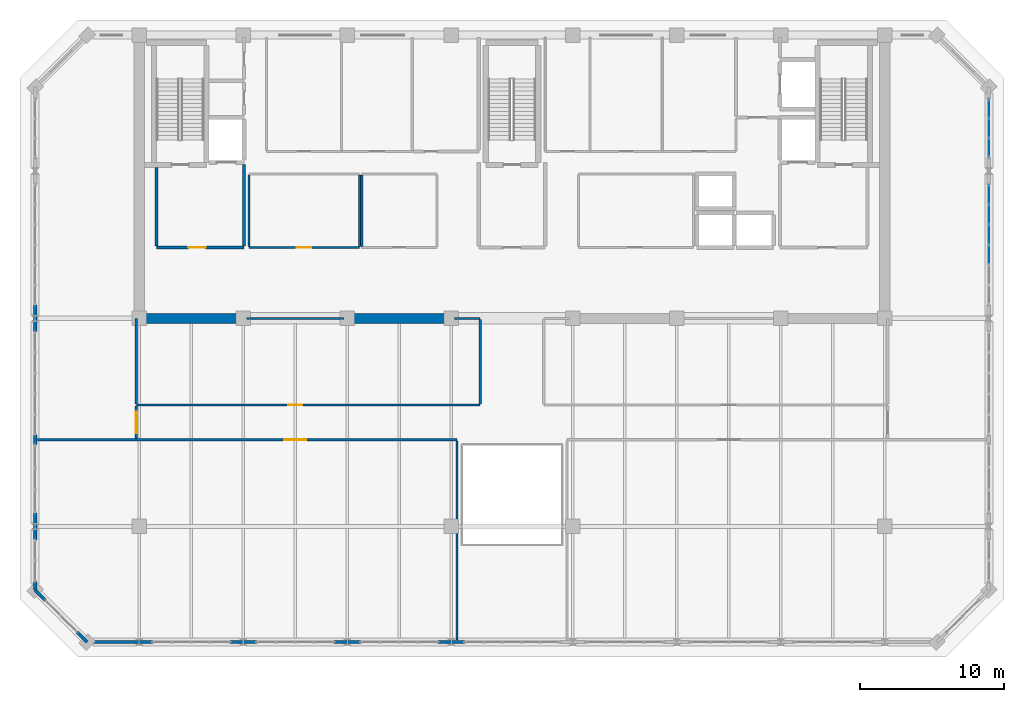
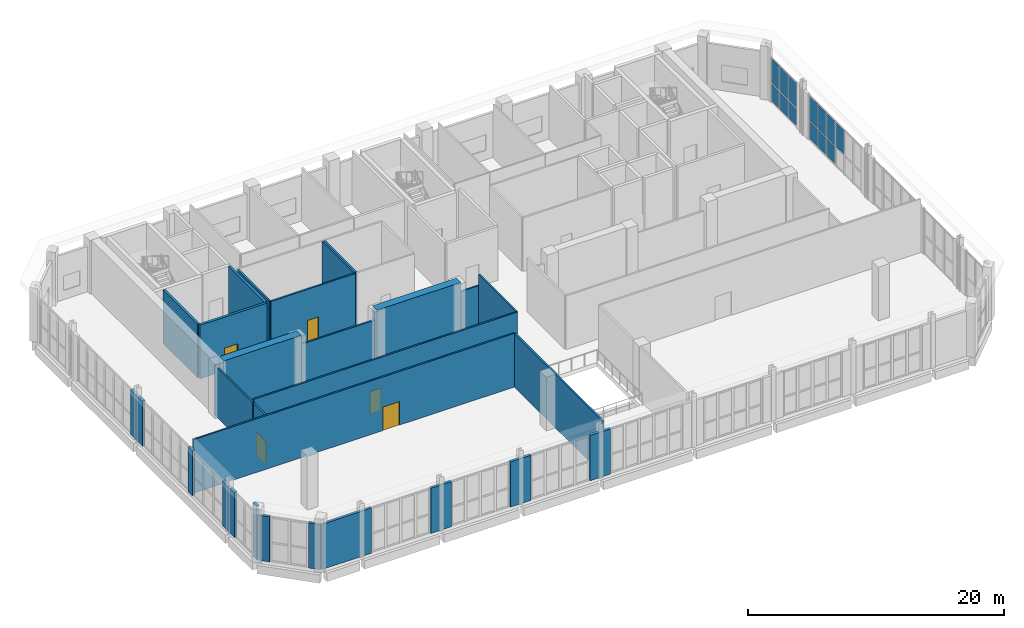
# One storey, part 19 of 26: 27 walls, 13 plates, 5 doors, 5 openings, 2 elements without a shape of their own.
"""IFC4 building model written with IfcOpenShell, lengths in metres."""

from ifc_helpers import new_model, si_unit, direction, frame, frame_2d, origin, origin_2d, place, context, subcontext, project, spatial, rectangle, extrude, material, layer, layer_set, type_object, element, fill, aggregate, save


model = new_model("IFC4")

# Units and contexts
model_context = context("Model", 3, precision=1e-05, world=origin(), true_north=direction((0.0, 1.0)))
body_context = subcontext(model_context, "Body", "Model", "MODEL_VIEW")
ifc_project = project(units=[si_unit("LENGTHUNIT", "METRE"), si_unit("AREAUNIT", "SQUARE_METRE"), si_unit("VOLUMEUNIT", "CUBIC_METRE"), si_unit("PLANEANGLEUNIT", "RADIAN"), si_unit("MASSUNIT", "GRAM", prefix="KILO")], contexts=[model_context])

# Site, building, storey
site_placement = place(None, origin())
site = spatial("IfcSite", under=ifc_project, at=site_placement, CompositionType="ELEMENT")
building_placement = place(site_placement, origin())
building = spatial("IfcBuilding", under=site, at=building_placement, Name="Kaelvorn Grand Hotel", CompositionType="ELEMENT")
storey_placement = place(building_placement, frame((0.0, 0.0, 300.199951171875)))
storey = spatial("IfcBuildingStorey", under=building, at=storey_placement, Name="L73", CompositionType="ELEMENT", Elevation=300.199951171875)

# Curtain wall, plates
ifc_material_1 = material(Name="Anodised Aluminium", Category="aluminium")
ifc_layer_1 = layer(ifc_material_1, 0.239990234375)
ifc_layer_set_1 = layer_set([ifc_layer_1], Name="Anodised Aluminium")
curtain_wall_type = type_object("IfcCurtainWallType", Name="CW-SYS5", PredefinedType="NOTDEFINED", material=ifc_layer_set_1)
curtain_wall_1_placement = place(storey_placement, origin())
curtain_wall_1 = element("IfcCurtainWall", 1, at=curtain_wall_1_placement, inside=storey, type_object=curtain_wall_type, Name="L73 Unitised Curtain Wall CW5 (CW-L73-E-04)", PredefinedType="NOTDEFINED")
ifc_material_2 = material(Name="Laminated Low-E Glass", Category="glass")
ifc_layer_2 = layer(ifc_material_2, 0.0380859375)
ifc_layer_set_2 = layer_set([ifc_layer_2], Name="Laminated Low-E Glass")
plate_type = type_object("IfcPlateType", Name="CW-SYS5-PAN", PredefinedType="CURTAIN_PANEL", material=ifc_layer_set_2)
plate_1_placement = place(storey_placement, frame((75.0, 33.80322265625, 1.8896484375), z_axis=(0.0, 0.0, 1.0), x_axis=(0.0, 1.0, 0.0)))
plate_1 = element("IfcPlate", 2, at=plate_1_placement, type_object=plate_type, Name="CW5 panel 3.2", PredefinedType="CURTAIN_PANEL", context=body_context, shape_type="SweptSolid", body=[
    extrude(rectangle(XDim=1.313232421875, YDim=0.0380859375, at=origin_2d()), origin(), (0.0, 0.0, 1.0), 2.280517578125),
])
plate_2_placement = place(storey_placement, frame((75.0, 35.19677734375, 0.150146484375), z_axis=(0.0, 0.0, 1.0), x_axis=(0.0, 1.0, 0.0)))
plate_2 = element("IfcPlate", 3, at=plate_2_placement, type_object=plate_type, Name="CW5 panel 4.1", PredefinedType="CURTAIN_PANEL", context=body_context, shape_type="SweptSolid", body=[
    extrude(rectangle(XDim=1.313232421875, YDim=0.0380859375, at=origin_2d()), origin(), (0.0, 0.0, 1.0), 1.58935546875),
])
plate_3_placement = place(storey_placement, frame((75.0, 35.19677734375, 1.8896484375), z_axis=(0.0, 0.0, 1.0), x_axis=(0.0, 1.0, 0.0)))
plate_3 = element("IfcPlate", 4, at=plate_3_placement, type_object=plate_type, Name="CW5 panel 4.2", PredefinedType="CURTAIN_PANEL", context=body_context, shape_type="SweptSolid", body=[
    extrude(rectangle(XDim=1.313232421875, YDim=0.0380859375, at=origin_2d()), origin(), (0.0, 0.0, 1.0), 2.280517578125),
])
plate_4_placement = place(storey_placement, frame((75.0, 36.590087890625, 0.150146484375), z_axis=(0.0, 0.0, 1.0), x_axis=(0.0, 1.0, 0.0)))
plate_4 = element("IfcPlate", 5, at=plate_4_placement, type_object=plate_type, Name="CW5 panel 5.1", PredefinedType="CURTAIN_PANEL", context=body_context, shape_type="SweptSolid", body=[
    extrude(rectangle(XDim=1.313232421875, YDim=0.0380859375, at=origin_2d()), origin(), (0.0, 0.0, 1.0), 1.58935546875),
])
plate_5_placement = place(storey_placement, frame((75.0, 36.590087890625, 1.8896484375), z_axis=(0.0, 0.0, 1.0), x_axis=(0.0, 1.0, 0.0)))
plate_5 = element("IfcPlate", 6, at=plate_5_placement, type_object=plate_type, Name="CW5 panel 5.2", PredefinedType="CURTAIN_PANEL", context=body_context, shape_type="SweptSolid", body=[
    extrude(rectangle(XDim=1.313232421875, YDim=0.0380859375, at=origin_2d()), origin(), (0.0, 0.0, 1.0), 2.280517578125),
])
plate_6_placement = place(storey_placement, frame((75.0, 37.96337890625, 0.150146484375), z_axis=(0.0, 0.0, 1.0), x_axis=(0.0, 1.0, 0.0)))
plate_6 = element("IfcPlate", 7, at=plate_6_placement, type_object=plate_type, Name="CW5 panel 6.1", PredefinedType="CURTAIN_PANEL", context=body_context, shape_type="SweptSolid", body=[
    extrude(rectangle(XDim=1.2734375, YDim=0.0380859375, at=origin_2d()), origin(), (0.0, 0.0, 1.0), 1.58935546875),
])
plate_7_placement = place(storey_placement, frame((75.0, 37.96337890625, 1.8896484375), z_axis=(0.0, 0.0, 1.0), x_axis=(0.0, 1.0, 0.0)))
plate_7 = element("IfcPlate", 8, at=plate_7_placement, type_object=plate_type, Name="CW5 panel 6.2", PredefinedType="CURTAIN_PANEL", context=body_context, shape_type="SweptSolid", body=[
    extrude(rectangle(XDim=1.2734375, YDim=0.0380859375, at=origin_2d()), origin(), (0.0, 0.0, 1.0), 2.280517578125),
])
aggregate(curtain_wall_1, [plate_1, plate_2, plate_3, plate_4, plate_5, plate_6, plate_7])

curtain_wall_2_placement = place(storey_placement, origin())
curtain_wall_2 = element("IfcCurtainWall", 9, at=curtain_wall_2_placement, inside=storey, type_object=curtain_wall_type, Name="L73 Unitised Curtain Wall CW5 (CW-L73-E-05)", PredefinedType="NOTDEFINED")
plate_8_placement = place(storey_placement, frame((75.0, 41.219970703125, 0.150146484375), z_axis=(0.0, 0.0, 1.0), x_axis=(0.0, 1.0, 0.0)))
plate_8 = element("IfcPlate", 10, at=plate_8_placement, type_object=plate_type, Name="CW5 panel 1.1", PredefinedType="CURTAIN_PANEL", context=body_context, shape_type="SweptSolid", body=[
    extrude(rectangle(XDim=1.239990234375, YDim=0.0380859375, at=origin_2d()), origin(), (0.0, 0.0, 1.0), 1.58935546875),
])
plate_9_placement = place(storey_placement, frame((75.0, 41.219970703125, 1.8896484375), z_axis=(0.0, 0.0, 1.0), x_axis=(0.0, 1.0, 0.0)))
plate_9 = element("IfcPlate", 11, at=plate_9_placement, type_object=plate_type, Name="CW5 panel 1.2", PredefinedType="CURTAIN_PANEL", context=body_context, shape_type="SweptSolid", body=[
    extrude(rectangle(XDim=1.239990234375, YDim=0.0380859375, at=origin_2d()), origin(), (0.0, 0.0, 1.0), 2.280517578125),
])
plate_10_placement = place(storey_placement, frame((75.0, 42.56005859375, 0.150146484375), z_axis=(0.0, 0.0, 1.0), x_axis=(0.0, 1.0, 0.0)))
plate_10 = element("IfcPlate", 12, at=plate_10_placement, type_object=plate_type, Name="CW5 panel 2.1", PredefinedType="CURTAIN_PANEL", context=body_context, shape_type="SweptSolid", body=[
    extrude(rectangle(XDim=1.280029296875, YDim=0.0380859375, at=origin_2d()), origin(), (0.0, 0.0, 1.0), 1.58935546875),
])
plate_11_placement = place(storey_placement, frame((75.0, 42.56005859375, 1.8896484375), z_axis=(0.0, 0.0, 1.0), x_axis=(0.0, 1.0, 0.0)))
plate_11 = element("IfcPlate", 13, at=plate_11_placement, type_object=plate_type, Name="CW5 panel 2.2", PredefinedType="CURTAIN_PANEL", context=body_context, shape_type="SweptSolid", body=[
    extrude(rectangle(XDim=1.280029296875, YDim=0.0380859375, at=origin_2d()), origin(), (0.0, 0.0, 1.0), 2.280517578125),
])
plate_12_placement = place(storey_placement, frame((75.0, 43.89990234375, 0.150146484375), z_axis=(0.0, 0.0, 1.0), x_axis=(0.0, 1.0, 0.0)))
plate_12 = element("IfcPlate", 14, at=plate_12_placement, type_object=plate_type, Name="CW5 panel 3.1", PredefinedType="CURTAIN_PANEL", context=body_context, shape_type="SweptSolid", body=[
    extrude(rectangle(XDim=1.239990234375, YDim=0.0380859375, at=origin_2d()), origin(), (0.0, 0.0, 1.0), 1.58935546875),
])
plate_13_placement = place(storey_placement, frame((75.0, 43.89990234375, 1.8896484375), z_axis=(0.0, 0.0, 1.0), x_axis=(0.0, 1.0, 0.0)))
plate_13 = element("IfcPlate", 15, at=plate_13_placement, type_object=plate_type, Name="CW5 panel 3.2", PredefinedType="CURTAIN_PANEL", context=body_context, shape_type="SweptSolid", body=[
    extrude(rectangle(XDim=1.239990234375, YDim=0.0380859375, at=origin_2d()), origin(), (0.0, 0.0, 1.0), 2.280517578125),
])
aggregate(curtain_wall_2, [plate_8, plate_9, plate_10, plate_11, plate_12, plate_13])

# Walls
ifc_material_3 = material(Name="Concrete C50/60", Category="concrete")
ifc_layer_3 = layer(ifc_material_3, 0.699951171875)
ifc_layer_set_3 = layer_set([ifc_layer_3], Name="Concrete C50/60")
wall_type_1 = type_object("IfcWallType", Name="WL-CORE-700-C50", PredefinedType="SHEAR", material=ifc_layer_set_3)
wall_1_placement = place(storey_placement, frame((16.554931640625, 29.39990234375, 0.0), z_axis=(0.0, 0.0, 1.0), x_axis=(1.0, 0.0, 0.0)))
element("IfcWall", 16, at=wall_1_placement, inside=storey, type_object=wall_type_1, Name="L73 Rear-Core Coupled Shear Pier S1", PredefinedType="SHEAR", context=body_context, shape_type="SweptSolid", body=[
    extrude(rectangle(XDim=7.045166015625, YDim=0.699951171875, at=frame_2d((3.5224609375, 0.0))), origin(), (0.0, 0.0, 1.0), 5.1201171875),
])
wall_2_placement = place(storey_placement, frame((30.39990234375, 29.39990234375, 0.0), z_axis=(0.0, 0.0, 1.0), x_axis=(1.0, 0.0, 0.0)))
element("IfcWall", 17, at=wall_2_placement, inside=storey, type_object=wall_type_1, Name="L73 Rear-Core Coupled Shear Pier S2", PredefinedType="SHEAR", context=body_context, shape_type="SweptSolid", body=[
    extrude(rectangle(XDim=7.60009765625, YDim=0.699951171875, at=frame_2d((3.800048828125, 0.0))), origin(), (0.0, 0.0, 1.0), 5.1201171875),
])
ifc_material_4 = material(Name="Concrete C40/50", Category="concrete")
ifc_layer_4 = layer(ifc_material_4, 0.219970703125)
ifc_layer_set_4 = layer_set([ifc_layer_4], Name="Concrete C40/50")
wall_type_2 = type_object("IfcWallType", Name="WL-EXT-220-C40", PredefinedType="SOLIDWALL", material=ifc_layer_set_4)
wall_3_placement = place(storey_placement, frame((12.60009765625, 7.0, 0.0), z_axis=(0.0, 0.0, 1.0), x_axis=(1.0, 0.0, 0.0)))
element("IfcWall", 18, at=wall_3_placement, inside=storey, type_object=wall_type_2, Name="L73 Exterior Architectural Concrete Wall 01 Pier 1", PredefinedType="SOLIDWALL", context=body_context, shape_type="SweptSolid", body=[
    extrude(rectangle(XDim=4.52490234375, YDim=0.219970703125, at=frame_2d((2.262451171875, 0.0))), origin(), (0.0, 0.0, 1.0), 4.320068359375),
])
for number, where, z_axis, x_axis, name in (
    (19, (22.47509765625, 7.0, 0.0), (0.0, 0.0, 1.0), (1.0, 0.0, 0.0), "L73 Exterior Architectural Concrete Wall 01 Pier 2"),
    (20, (29.675048828125, 7.0, 0.0), (0.0, 0.0, 1.0), (1.0, 0.0, 0.0), "L73 Exterior Architectural Concrete Wall 01 Pier 3"),
):
    element("IfcWall", number, at=place(storey_placement, frame(where, z_axis=z_axis, x_axis=x_axis)), inside=storey, type_object=wall_type_2, Name=name, PredefinedType="SOLIDWALL", context=body_context, shape_type="SweptSolid", body=[
        extrude(rectangle(XDim=1.849853515625, YDim=0.219970703125, at=frame_2d((0.9248046875, 0.0))), origin(), (0.0, 0.0, 1.0), 4.320068359375),
    ])
wall_4_placement = place(storey_placement, frame((36.875, 7.0, 0.0), z_axis=(0.0, 0.0, 1.0), x_axis=(1.0, 0.0, 0.0)))
element("IfcWall", 21, at=wall_4_placement, inside=storey, type_object=wall_type_2, Name="L73 Exterior Architectural Concrete Wall 01 Pier 4", PredefinedType="SOLIDWALL", context=body_context, shape_type="SweptSolid", body=[
    extrude(rectangle(XDim=1.85009765625, YDim=0.219970703125, at=frame_2d((0.925048828125, 0.0))), origin(), (0.0, 0.0, 1.0), 4.320068359375),
])
wall_5_placement = place(storey_placement, frame((9.0, 30.324951171875, 0.0), z_axis=(0.0, 0.0, 1.0), x_axis=(0.0, -1.0, 0.0)))
element("IfcWall", 22, at=wall_5_placement, inside=storey, type_object=wall_type_2, Name="L73 Exterior Architectural Concrete Wall 07 Pier 3", PredefinedType="SOLIDWALL", context=body_context, shape_type="SweptSolid", body=[
    extrude(rectangle(XDim=1.849853515625, YDim=0.219970703125, at=frame_2d((0.9248046875, 0.0))), origin(), (0.0, 0.0, 1.0), 4.320068359375),
])
wall_6_placement = place(storey_placement, frame((9.0, 21.324951171875, 0.0), z_axis=(0.0, 0.0, 1.0), x_axis=(0.0, -1.0, 0.0)))
element("IfcWall", 23, at=wall_6_placement, inside=storey, type_object=wall_type_2, Name="L73 Exterior Architectural Concrete Wall 07 Pier 4", PredefinedType="SOLIDWALL", context=body_context, shape_type="SweptSolid", body=[
    extrude(rectangle(XDim=0.64990234375, YDim=0.219970703125, at=frame_2d((0.324951171875, 0.0))), origin(), (0.0, 0.0, 1.0), 4.320068359375),
])
wall_7_placement = place(storey_placement, frame((9.0, 15.925048828125, 0.0), z_axis=(0.0, 0.0, 1.0), x_axis=(0.0, -1.0, 0.0)))
element("IfcWall", 24, at=wall_7_placement, inside=storey, type_object=wall_type_2, Name="L73 Exterior Architectural Concrete Wall 07 Pier 5", PredefinedType="SOLIDWALL", context=body_context, shape_type="SweptSolid", body=[
    extrude(rectangle(XDim=1.85009765625, YDim=0.219970703125, at=frame_2d((0.925048828125, 0.0))), origin(), (0.0, 0.0, 1.0), 4.320068359375),
])
wall_8_placement = place(storey_placement, frame((9.0, 11.205078125, 0.0), z_axis=(0.0, 0.0, 1.0), x_axis=(0.0, -1.0, 0.0)))
element("IfcWall", 25, at=wall_8_placement, inside=storey, type_object=wall_type_2, Name="L73 Exterior Architectural Concrete Wall 07 Pier 6", PredefinedType="SOLIDWALL", context=body_context, shape_type="SweptSolid", body=[
    extrude(rectangle(XDim=0.60498046875, YDim=0.219970703125, at=frame_2d((0.302490234375, 0.0))), origin(), (0.0, 0.0, 1.0), 5.1201171875),
])
for number, where, z_axis, x_axis, name in (
    (26, (9.0, 10.60009765625, 0.0), (0.0, 0.0, 1.0), (0.707106781187, -0.707106781187, 0.0), "L73 Exterior Architectural Concrete Wall 08 Pier 1"),
    (27, (11.903564453125, 7.696533203125, 0.0), (0.0, 0.0, 1.0), (0.707106781187, -0.707106781187, 0.0), "L73 Exterior Architectural Concrete Wall 08 Pier 2"),
):
    element("IfcWall", number, at=place(storey_placement, frame(where, z_axis=z_axis, x_axis=x_axis)), inside=storey, type_object=wall_type_2, Name=name, PredefinedType="SOLIDWALL", context=body_context, shape_type="SweptSolid", body=[
        extrude(rectangle(XDim=0.985107421875, YDim=0.219970703125, at=frame_2d((0.49267578125, 0.0))), origin(), (0.0, 0.0, 1.0), 4.320068359375),
    ])
ifc_material_5 = material(Name="Acoustic Gypsum & Stud Partition")
ifc_layer_5 = layer(ifc_material_5, 0.14990234375)
ifc_layer_set_5 = layer_set([ifc_layer_5], Name="Acoustic Gypsum & Stud Partition")
wall_type_3 = type_object("IfcWallType", Name="WL-PART-150-EI60", PredefinedType="PARTITIONING", material=ifc_layer_set_5)
wall_9_placement = place(storey_placement, frame((31.60009765625, 34.3798828125, 0.0), z_axis=(0.0, 0.0, 1.0), x_axis=(0.0, 1.0, 0.0)))
element("IfcWall", 28, at=wall_9_placement, inside=storey, type_object=wall_type_3, Name="L73 Core Telecoms & BMS Server Room W Partition", PredefinedType="PARTITIONING", context=body_context, shape_type="SweptSolid", body=[
    extrude(rectangle(XDim=4.940185546875, YDim=0.14990234375, at=frame_2d((2.47021484375, 0.0))), origin(), (0.0, 0.0, 1.0), 5.1201171875),
])

# Wall, opening, door
wall_10_placement = place(storey_placement, frame((23.800048828125, 34.300048828125, 0.0), z_axis=(0.0, 0.0, 1.0), x_axis=(1.0, 0.0, 0.0)))
wall_10 = element("IfcWall", 29, at=wall_10_placement, inside=storey, type_object=wall_type_3, Name="L73 Crown Sommelier & Tasting Salon S Partition", PredefinedType="PARTITIONING", context=body_context, shape_type="SweptSolid", body=[
    extrude(rectangle(XDim=7.64990234375, YDim=0.14990234375, at=frame_2d((3.824951171875, 0.0))), origin(), (0.0, 0.0, 1.0), 5.1201171875),
])
opening_1_placement = place(wall_10_placement, frame((3.300048828125, 0.0, 0.0)))
opening_1 = element("IfcOpeningElement", 30, at=opening_1_placement, cuts=wall_10, Name="Opening DI3", PredefinedType="OPENING", context=body_context, shape_type="SweptSolid", body=[
    extrude(rectangle(XDim=1.0, YDim=2.14990234375, at=frame_2d((0.5, 1.074951171875))), frame((0.0, 0.0849609375, 0.0), z_axis=(0.0, -1.0, 0.0), x_axis=(1.0, 0.0, 0.0)), (0.0, 0.0, 1.0), 0.169921875),
])
ifc_material_6 = material(Name="Timber Veneer Fire Leaf", Category="wood")
door_type_1 = type_object("IfcDoorType", Name="DR-INT-GUEST-1000x2150", OperationType="NOTDEFINED", PredefinedType="DOOR", material=ifc_material_6)
door_1_placement = place(opening_1_placement, origin())
door_1 = element("IfcDoor", 31, at=door_1_placement, inside=storey, type_object=door_type_1, Name="L73 Crown Sommelier & Tasting Salon Door", OperationType="SINGLE_SWING_RIGHT", OverallHeight=2.14990234375, OverallWidth=1.0, PredefinedType="DOOR", context=body_context, shape_type="SweptSolid", body=[
    extrude(rectangle(XDim=1.0, YDim=2.14990234375, at=frame_2d((0.5, 1.074951171875))), frame((0.0, 0.02490234375, 0.0), z_axis=(0.0, -1.0, 0.0), x_axis=(1.0, 0.0, 0.0)), (0.0, 0.0, 1.0), 0.050048828125),
])
fill(opening_1, door_1)

# Walls
for number, where, z_axis, x_axis, name in (
    (32, (23.800048828125, 34.3798828125, 0.0), (0.0, 0.0, 1.0), (0.0, 1.0, 0.0), "L73 Crown Sommelier & Tasting Salon W Partition"),
    (33, (31.449951171875, 34.3798828125, 0.0), (0.0, 0.0, 1.0), (0.0, 1.0, 0.0), "L73 Crown Sommelier & Tasting Salon E Partition"),
):
    element("IfcWall", number, at=place(storey_placement, frame(where, z_axis=z_axis, x_axis=x_axis)), inside=storey, type_object=wall_type_3, Name=name, PredefinedType="PARTITIONING", context=body_context, shape_type="SweptSolid", body=[
        extrude(rectangle(XDim=4.940185546875, YDim=0.14990234375, at=frame_2d((2.47021484375, 0.0))), origin(), (0.0, 0.0, 1.0), 5.1201171875),
    ])

# Wall, opening, door
wall_11_placement = place(storey_placement, frame((9.14990234375, 21.0, 0.0), z_axis=(0.0, 0.0, 1.0), x_axis=(1.0, 0.0, 0.0)))
wall_11 = element("IfcWall", 34, at=wall_11_placement, inside=storey, type_object=wall_type_3, Name="L73 TMD Mezzanine Gallery N Partition", PredefinedType="PARTITIONING", context=body_context, shape_type="SweptSolid", body=[
    extrude(rectangle(XDim=29.050048828125, YDim=0.14990234375, at=frame_2d((14.52490234375, 0.0))), origin(), (0.0, 0.0, 1.0), 5.1201171875),
])
opening_2_placement = place(wall_11_placement, frame((17.10009765625, 0.0, 0.0)))
opening_2 = element("IfcOpeningElement", 35, at=opening_2_placement, cuts=wall_11, Name="Opening DI5", PredefinedType="OPENING", context=body_context, shape_type="SweptSolid", body=[
    extrude(rectangle(XDim=1.5, YDim=2.25, at=frame_2d((0.75, 1.125))), frame((0.0, 0.0849609375, 0.0), z_axis=(0.0, -1.0, 0.0), x_axis=(1.0, 0.0, 0.0)), (0.0, 0.0, 1.0), 0.169921875),
])
door_type_2 = type_object("IfcDoorType", Name="DR-INT-SALON-1500x2250", OperationType="DOUBLE_DOOR_SINGLE_SWING", PredefinedType="DOOR", material=ifc_material_6)
door_2_placement = place(opening_2_placement, origin())
door_2 = element("IfcDoor", 36, at=door_2_placement, inside=storey, type_object=door_type_2, Name="L73 TMD Mezzanine Gallery Door", OperationType="DOUBLE_DOOR_SINGLE_SWING", OverallHeight=2.25, OverallWidth=1.5, PredefinedType="DOOR", context=body_context, shape_type="SweptSolid", body=[
    extrude(rectangle(XDim=1.5, YDim=2.25, at=frame_2d((0.75, 1.125))), frame((0.0, 0.02490234375, 0.0), z_axis=(0.0, -1.0, 0.0), x_axis=(1.0, 0.0, 0.0)), (0.0, 0.0, 1.0), 0.050048828125),
])
fill(opening_2, door_2)

# Wall
wall_12_placement = place(storey_placement, frame((38.199951171875, 7.14990234375, 0.0), z_axis=(0.0, 0.0, 1.0), x_axis=(0.0, 1.0, 0.0)))
element("IfcWall", 37, at=wall_12_placement, inside=storey, type_object=wall_type_3, Name="L73 TMD Mezzanine Gallery E Partition", PredefinedType="PARTITIONING", context=body_context, shape_type="SweptSolid", body=[
    extrude(rectangle(XDim=13.77001953125, YDim=0.14990234375, at=frame_2d((6.885009765625, 0.0))), origin(), (0.0, 0.0, 1.0), 5.1201171875),
])

# Wall, opening, door
wall_13_placement = place(storey_placement, frame((16.0, 23.39990234375, 0.0), z_axis=(0.0, 0.0, 1.0), x_axis=(1.0, 0.0, 0.0)))
wall_13 = element("IfcWall", 38, at=wall_13_placement, inside=storey, type_object=wall_type_3, Name="L73 Crown Structural Telemetry Office S Partition", PredefinedType="PARTITIONING", context=body_context, shape_type="SweptSolid", body=[
    extrude(rectangle(XDim=23.800048828125, YDim=0.14990234375, at=frame_2d((11.89990234375, 0.0))), origin(), (0.0, 0.0, 1.0), 5.1201171875),
])
opening_3_placement = place(wall_13_placement, frame((10.5, 0.0, 0.0)))
opening_3 = element("IfcOpeningElement", 39, at=opening_3_placement, cuts=wall_13, Name="Opening DI3", PredefinedType="OPENING", context=body_context, shape_type="SweptSolid", body=[
    extrude(rectangle(XDim=1.0, YDim=2.14990234375, at=frame_2d((0.5, 1.074951171875))), frame((0.0, 0.0849609375, 0.0), z_axis=(0.0, -1.0, 0.0), x_axis=(1.0, 0.0, 0.0)), (0.0, 0.0, 1.0), 0.169921875),
])
door_3_placement = place(opening_3_placement, origin())
door_3 = element("IfcDoor", 40, at=door_3_placement, inside=storey, type_object=door_type_1, Name="L73 Crown Structural Telemetry Office Door", OperationType="SINGLE_SWING_RIGHT", OverallHeight=2.14990234375, OverallWidth=1.0, PredefinedType="DOOR", context=body_context, shape_type="SweptSolid", body=[
    extrude(rectangle(XDim=1.0, YDim=2.14990234375, at=frame_2d((0.5, 1.074951171875))), frame((0.0, 0.02490234375, 0.0), z_axis=(0.0, -1.0, 0.0), x_axis=(1.0, 0.0, 0.0)), (0.0, 0.0, 1.0), 0.050048828125),
])
fill(opening_3, door_3)

# Walls
wall_14_placement = place(storey_placement, frame((23.610107421875, 29.39990234375, 0.0), z_axis=(0.0, 0.0, 1.0), x_axis=(1.0, 0.0, 0.0)))
element("IfcWall", 41, at=wall_14_placement, inside=storey, type_object=wall_type_3, Name="L73 Crown Structural Telemetry Office N Partition (1)", PredefinedType="PARTITIONING", context=body_context, shape_type="SweptSolid", body=[
    extrude(rectangle(XDim=6.77978515625, YDim=0.14990234375, at=frame_2d((3.389892578125, 0.0))), origin(), (0.0, 0.0, 1.0), 4.02001953125),
])
wall_15_placement = place(storey_placement, frame((38.010009765625, 29.39990234375, 0.0), z_axis=(0.0, 0.0, 1.0), x_axis=(1.0, 0.0, 0.0)))
element("IfcWall", 42, at=wall_15_placement, inside=storey, type_object=wall_type_3, Name="L73 Crown Structural Telemetry Office N Partition (2)", PredefinedType="PARTITIONING", context=body_context, shape_type="SweptSolid", body=[
    extrude(rectangle(XDim=1.7900390625, YDim=0.14990234375, at=frame_2d((0.89501953125, 0.0))), origin(), (0.0, 0.0, 1.0), 4.02001953125),
])
wall_16_placement = place(storey_placement, frame((16.0, 23.47998046875, 0.0), z_axis=(0.0, 0.0, 1.0), x_axis=(0.0, 1.0, 0.0)))
element("IfcWall", 43, at=wall_16_placement, inside=storey, type_object=wall_type_3, Name="L73 Crown Structural Telemetry Office W Partition", PredefinedType="PARTITIONING", context=body_context, shape_type="SweptSolid", body=[
    extrude(rectangle(XDim=5.909912109375, YDim=0.14990234375, at=frame_2d((2.955078125, 0.0))), origin(), (0.0, 0.0, 1.0), 4.760009765625),
])
wall_17_placement = place(storey_placement, frame((39.800048828125, 23.47998046875, 0.0), z_axis=(0.0, 0.0, 1.0), x_axis=(0.0, 1.0, 0.0)))
element("IfcWall", 44, at=wall_17_placement, inside=storey, type_object=wall_type_3, Name="L73 Crown Structural Telemetry Office E Partition", PredefinedType="PARTITIONING", context=body_context, shape_type="SweptSolid", body=[
    extrude(rectangle(XDim=5.840087890625, YDim=0.14990234375, at=frame_2d((2.919921875, 0.0))), origin(), (0.0, 0.0, 1.0), 5.1201171875),
])

# Wall, opening, door
wall_18_placement = place(storey_placement, frame((16.0, 21.080078125, 0.0), z_axis=(0.0, 0.0, 1.0), x_axis=(0.0, 1.0, 0.0)))
wall_18 = element("IfcWall", 45, at=wall_18_placement, inside=storey, type_object=wall_type_3, Name="L73 West Mezzanine Reading Lounge E Partition", PredefinedType="PARTITIONING", context=body_context, shape_type="SweptSolid", body=[
    extrude(rectangle(XDim=2.239990234375, YDim=0.14990234375, at=frame_2d((1.1201171875, 0.0))), origin(), (0.0, 0.0, 1.0), 4.760009765625),
])
opening_4_placement = place(wall_18_placement, frame((0.3701171875, 0.0, 0.0)))
opening_4 = element("IfcOpeningElement", 46, at=opening_4_placement, cuts=wall_18, Name="Opening DI5", PredefinedType="OPENING", context=body_context, shape_type="SweptSolid", body=[
    extrude(rectangle(XDim=1.5, YDim=2.25, at=frame_2d((0.75, 1.125))), frame((0.0, 0.0849609375, 0.0), z_axis=(0.0, -1.0, 0.0), x_axis=(1.0, 0.0, 0.0)), (0.0, 0.0, 1.0), 0.169921875),
])
door_4_placement = place(opening_4_placement, origin())
door_4 = element("IfcDoor", 47, at=door_4_placement, inside=storey, type_object=door_type_2, Name="L73 West Mezzanine Reading Lounge Door", OperationType="DOUBLE_DOOR_SINGLE_SWING", OverallHeight=2.25, OverallWidth=1.5, PredefinedType="DOOR", context=body_context, shape_type="SweptSolid", body=[
    extrude(rectangle(XDim=1.5, YDim=2.25, at=frame_2d((0.75, 1.125))), frame((0.0, 0.02490234375, 0.0), z_axis=(0.0, -1.0, 0.0), x_axis=(1.0, 0.0, 0.0)), (0.0, 0.0, 1.0), 0.050048828125),
])
fill(opening_4, door_4)

ifc_layer_6 = layer(ifc_material_4, 0.219970703125)
ifc_layer_set_6 = layer_set([ifc_layer_6], Name="Concrete C40/50")
wall_type_4 = type_object("IfcWallType", Name="WL-PART-220-EI120", PredefinedType="PARTITIONING", material=ifc_layer_set_6)
wall_19_placement = place(storey_placement, frame((17.39990234375, 34.300048828125, 0.0), z_axis=(0.0, 0.0, 1.0), x_axis=(1.0, 0.0, 0.0)))
wall_19 = element("IfcWall", 48, at=wall_19_placement, inside=storey, type_object=wall_type_4, Name="L73 Firefighting Lift Lobby 1 S Partition", PredefinedType="PARTITIONING", context=body_context, shape_type="SweptSolid", body=[
    extrude(rectangle(XDim=6.050048828125, YDim=0.219970703125, at=frame_2d((3.02490234375, 0.0))), origin(), (0.0, 0.0, 1.0), 5.1201171875),
])
opening_5_placement = place(wall_19_placement, frame((2.199951171875, 0.0, 0.0)))
opening_5 = element("IfcOpeningElement", 49, at=opening_5_placement, cuts=wall_19, Name="Opening DI2", PredefinedType="OPENING", context=body_context, shape_type="SweptSolid", body=[
    extrude(rectangle(XDim=1.199951171875, YDim=2.14990234375, at=frame_2d((0.60009765625, 1.074951171875))), frame((0.0, 0.1201171875, 0.0), z_axis=(0.0, -1.0, 0.0), x_axis=(1.0, 0.0, 0.0)), (0.0, 0.0, 1.0), 0.239990234375),
])
door_type_3 = type_object("IfcDoorType", Name="DR-INT-FFLOB-1200x2150", OperationType="NOTDEFINED", PredefinedType="DOOR", material=ifc_material_6)
door_5_placement = place(opening_5_placement, origin())
door_5 = element("IfcDoor", 50, at=door_5_placement, inside=storey, type_object=door_type_3, Name="L73 Firefighting Lift Lobby 1 Door", OperationType="SINGLE_SWING_LEFT", OverallHeight=2.14990234375, OverallWidth=1.199951171875, PredefinedType="DOOR", context=body_context, shape_type="SweptSolid", body=[
    extrude(rectangle(XDim=1.199951171875, YDim=2.14990234375, at=frame_2d((0.60009765625, 1.074951171875))), frame((0.0, 0.02490234375, 0.0), z_axis=(0.0, -1.0, 0.0), x_axis=(1.0, 0.0, 0.0)), (0.0, 0.0, 1.0), 0.050048828125),
])
fill(opening_5, door_5)

# Walls
wall_20_placement = place(storey_placement, frame((17.39990234375, 34.4150390625, 0.0), z_axis=(0.0, 0.0, 1.0), x_axis=(0.0, 1.0, 0.0)))
element("IfcWall", 51, at=wall_20_placement, inside=storey, type_object=wall_type_4, Name="L73 Firefighting Lift Lobby 1 W Partition", PredefinedType="PARTITIONING", context=body_context, shape_type="SweptSolid", body=[
    extrude(rectangle(XDim=5.429931640625, YDim=0.219970703125, at=frame_2d((2.71484375, 0.0))), origin(), (0.0, 0.0, 1.0), 5.1201171875),
])
wall_21_placement = place(storey_placement, frame((23.449951171875, 34.4150390625, 0.0), z_axis=(0.0, 0.0, 1.0), x_axis=(0.0, 1.0, 0.0)))
element("IfcWall", 52, at=wall_21_placement, inside=storey, type_object=wall_type_4, Name="L73 Firefighting Lift Lobby 1 E Partition", PredefinedType="PARTITIONING", context=body_context, shape_type="SweptSolid", body=[
    extrude(rectangle(XDim=5.639892578125, YDim=0.219970703125, at=frame_2d((2.81982421875, 0.0))), origin(), (0.0, 0.0, 1.0), 5.1201171875),
])

save(model, "model.ifc")
